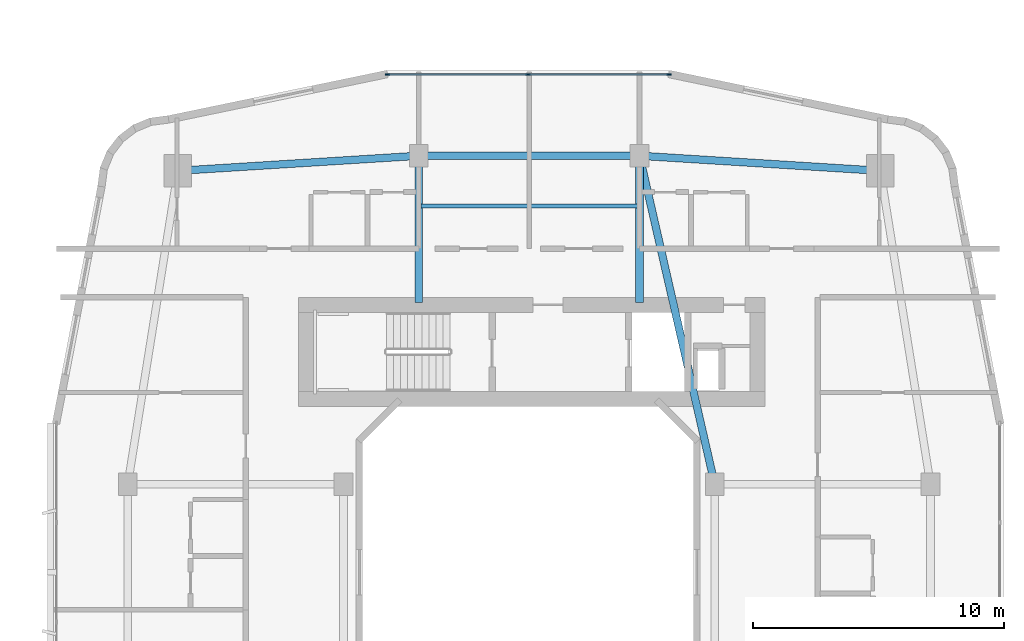
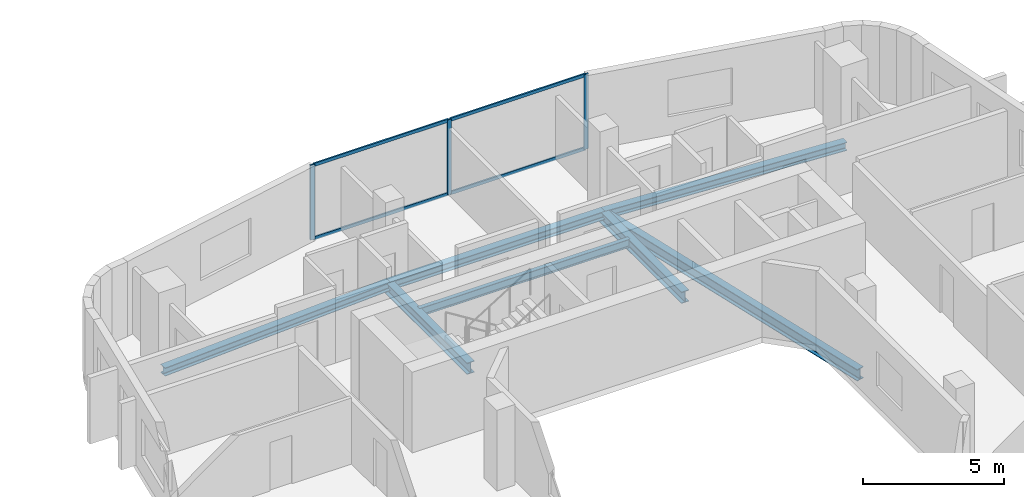
# One storey, part 11 of 27: 7 beams, 7 members, 1 element without a shape of its own.
"""IFC4 building model written with IfcOpenShell, lengths in metres."""

from ifc_helpers import new_model, si_unit, derived_unit, direction, frame, origin, origin_2d, place, context, subcontext, project, spatial, rectangle, i_section, extrude, material, layer, layer_set, material_profile, profile_set, type_object, element, aggregate, save


model = new_model("IFC4")

# Units and contexts
model_context = context("Model", 3, precision=1e-05, world=origin(), true_north=direction((0.0, 1.0)))
body_context = subcontext(model_context, "Body", "Model", "MODEL_VIEW")
ifc_project = project(units=[si_unit("LENGTHUNIT", "METRE"), si_unit("AREAUNIT", "SQUARE_METRE"), si_unit("VOLUMEUNIT", "CUBIC_METRE"), si_unit("PLANEANGLEUNIT", "RADIAN"), si_unit("MASSUNIT", "GRAM", prefix="KILO"), derived_unit("THERMALTRANSMITTANCEUNIT", [(si_unit("POWERUNIT", "WATT"), 1), (si_unit("LENGTHUNIT", "METRE"), -2), (si_unit("THERMODYNAMICTEMPERATUREUNIT", "KELVIN"), -1)])], contexts=[model_context])

# Site, building, storey
site_placement = place(None, origin())
site = spatial("IfcSite", under=ifc_project, at=site_placement, CompositionType="ELEMENT")
building_placement = place(site_placement, origin())
building = spatial("IfcBuilding", under=site, at=building_placement, Name="Kivonza Crest Hotel", CompositionType="ELEMENT")
storey_placement = place(building_placement, frame((0.0, 0.0, 38.0)))
storey = spatial("IfcBuildingStorey", under=building, at=storey_placement, Name="L09", CompositionType="ELEMENT", Elevation=38.0)

# Beams
ifc_material_1 = material(Name="Steel S355", Category="steel")
ifc_material_profile_1 = material_profile(ifc_material_1, i_section(OverallWidth=0.300048828125, OverallDepth=0.360107421875, WebThickness=0.012451171875, FlangeThickness=0.0224609375, FilletRadius=0.027099609375, at=origin_2d()), Name="HEB 360")
ifc_profile_set_1 = profile_set([ifc_material_profile_1], Name="Steel S355")
beam_type_1 = type_object("IfcBeamType", Name="BM-HEB360", PredefinedType="SPANDREL", material=ifc_profile_set_1)
beam_1_placement = place(storey_placement, frame((91.0, 41.0, -0.429931640625), z_axis=(-0.998051985873, 0.062387767186, 0.0), x_axis=(-0.062387767186, -0.998051985873, 0.0)))
element("IfcBeam", 1, at=beam_1_placement, inside=storey, type_object=beam_type_1, Name="Companion Tower T2 L09 perimeter spandrel NE-N2", PredefinedType="SPANDREL", context=body_context, shape_type="SweptSolid", body=[
    extrude(i_section(OverallWidth=0.300048828125, OverallDepth=0.360107421875, WebThickness=0.012451171875, FlangeThickness=0.0224609375, FilletRadius=0.027099609375, at=origin_2d()), origin(), (0.0, 0.0, 1.0), 9.618896484375),
])
beam_2_placement = place(storey_placement, frame((81.39990234375, 41.60009765625, -0.429931640625), z_axis=(-1.0, 0.0, 0.0), x_axis=(0.0, -1.0, 0.0)))
element("IfcBeam", 2, at=beam_2_placement, inside=storey, type_object=beam_type_1, Name="Companion Tower T2 L09 perimeter spandrel N2-N1", PredefinedType="SPANDREL", context=body_context, shape_type="SweptSolid", body=[
    extrude(i_section(OverallWidth=0.300048828125, OverallDepth=0.360107421875, WebThickness=0.012451171875, FlangeThickness=0.0224609375, FilletRadius=0.027099609375, at=origin_2d()), origin(), (0.0, 0.0, 1.0), 8.7998046875),
])
beam_3_placement = place(storey_placement, frame((72.60009765625, 41.60009765625, -0.429931640625), z_axis=(-0.998051985873, -0.062387767186, 0.0), x_axis=(0.062387767186, -0.998051985873, 0.0)))
element("IfcBeam", 3, at=beam_3_placement, inside=storey, type_object=beam_type_1, Name="Companion Tower T2 L09 perimeter spandrel N1-NW", PredefinedType="SPANDREL", context=body_context, shape_type="SweptSolid", body=[
    extrude(i_section(OverallWidth=0.300048828125, OverallDepth=0.360107421875, WebThickness=0.012451171875, FlangeThickness=0.0224609375, FilletRadius=0.027099609375, at=origin_2d()), origin(), (0.0, 0.0, 1.0), 9.618896484375),
])
ifc_material_profile_2 = material_profile(ifc_material_1, i_section(OverallWidth=0.300048828125, OverallDepth=0.5, WebThickness=0.014404296875, FlangeThickness=0.028076171875, FilletRadius=0.027099609375, at=origin_2d()), Name="HEB 500")
ifc_profile_set_2 = profile_set([ifc_material_profile_2], Name="Steel S355")
beam_type_2 = type_object("IfcBeamType", Name="BM-HEB500", PredefinedType="BEAM", material=ifc_profile_set_2)
beam_4_placement = place(storey_placement, frame((84.39990234375, 28.5, -0.5), z_axis=(-0.223227287589, 0.974766422317, 0.0), x_axis=(-0.974766422317, -0.223227287589, 0.0)))
element("IfcBeam", 4, at=beam_4_placement, inside=storey, type_object=beam_type_2, Name="Companion Tower T2 L09 girder WR2-N2", PredefinedType="BEAM", context=body_context, shape_type="SweptSolid", body=[
    extrude(i_section(OverallWidth=0.300048828125, OverallDepth=0.5, WebThickness=0.014404296875, FlangeThickness=0.028076171875, FilletRadius=0.027099609375, at=origin_2d()), origin(), (0.0, 0.0, 1.0), 13.439208984375),
])
for number, where, z_axis, x_axis, name in (
    (5, (72.60009765625, 41.60009765625, -0.5), (0.0, -1.0, 0.0), (1.0, 0.0, 0.0), "Companion T2 L09 radial core girder RN1"),
    (6, (81.39990234375, 41.60009765625, -0.5), (0.0, -1.0, 0.0), (1.0, 0.0, 0.0), "Companion T2 L09 radial core girder RN2"),
):
    element("IfcBeam", number, at=place(storey_placement, frame(where, z_axis=z_axis, x_axis=x_axis)), inside=storey, type_object=beam_type_2, Name=name, PredefinedType="BEAM", context=body_context, shape_type="SweptSolid", body=[
        extrude(i_section(OverallWidth=0.300048828125, OverallDepth=0.5, WebThickness=0.014404296875, FlangeThickness=0.028076171875, FilletRadius=0.027099609375, at=origin_2d()), origin(), (0.0, 0.0, 1.0), 5.85009765625),
    ])
ifc_material_profile_3 = material_profile(ifc_material_1, i_section(OverallWidth=0.169921875, OverallDepth=0.360107421875, WebThickness=0.008056640625, FlangeThickness=0.0126953125, FilletRadius=0.01806640625, at=origin_2d()), Name="IPE 360")
ifc_profile_set_3 = profile_set([ifc_material_profile_3], Name="Steel S355")
beam_type_3 = type_object("IfcBeamType", Name="BM-IPE360", PredefinedType="JOIST", material=ifc_profile_set_3)
beam_5_placement = place(storey_placement, frame((72.679931640625, 39.60009765625, -0.429931640625), z_axis=(1.0, 0.0, 0.0), x_axis=(0.0, 1.0, 0.0)))
element("IfcBeam", 7, at=beam_5_placement, inside=storey, type_object=beam_type_3, Name="Companion Tower T2 L09 North floor joist", PredefinedType="JOIST", context=body_context, shape_type="SweptSolid", body=[
    extrude(i_section(OverallWidth=0.169921875, OverallDepth=0.360107421875, WebThickness=0.008056640625, FlangeThickness=0.0126953125, FilletRadius=0.01806640625, at=origin_2d()), origin(), (0.0, 0.0, 1.0), 8.64013671875),
])

# Curtain wall, members
ifc_material_2 = material(Name="Anodised bronze aluminium and low-E double glazing", Category="aluminium")
ifc_layer = layer(ifc_material_2, 0.179931640625)
ifc_layer_set = layer_set([ifc_layer], Name="Anodised bronze aluminium and low-E double glazing")
curtain_wall_type = type_object("IfcCurtainWallType", Name="CW-SYS-4", PredefinedType="NOTDEFINED", material=ifc_layer_set)
curtain_wall_placement = place(storey_placement, origin())
curtain_wall = element("IfcCurtainWall", 8, at=curtain_wall_placement, inside=storey, type_object=curtain_wall_type, Name="L09 unitised curtain wall CW-T2-L09-26", PredefinedType="NOTDEFINED")
ifc_material_3 = material(Name="Anodised bronze aluminium", Category="aluminium")
ifc_material_profile_4 = material_profile(ifc_material_3, rectangle(XDim=0.06494140625, YDim=0.179931640625, at=origin_2d()), Name="CW-M 65x180")
ifc_profile_set_4 = profile_set([ifc_material_profile_4], Name="Anodised bronze aluminium")
member_type_1 = type_object("IfcMemberType", Name="CW-MUL-65x180", PredefinedType="MULLION", material=ifc_profile_set_4)
member_1_placement = place(storey_placement, frame((82.575439453125, 44.840087890625, 0.0), z_axis=(0.0, 0.0, 1.0), x_axis=(0.0, -1.0, 0.0)))
member_1 = element("IfcMember", 9, at=member_1_placement, type_object=member_type_1, Name="CW-4 mullion 1", PredefinedType="MULLION", context=body_context, shape_type="SweptSolid", body=[
    extrude(rectangle(XDim=0.06494140625, YDim=0.179931640625, at=origin_2d()), origin(), (0.0, 0.0, 1.0), 3.25),
])
member_2_placement = place(storey_placement, frame((76.9599609375, 44.840087890625, 0.0), z_axis=(0.0, 0.0, 1.0), x_axis=(0.0, -1.0, 0.0)))
member_2 = element("IfcMember", 10, at=member_2_placement, type_object=member_type_1, Name="CW-4 mullion 2", PredefinedType="MULLION", context=body_context, shape_type="SweptSolid", body=[
    extrude(rectangle(XDim=0.06494140625, YDim=0.179931640625, at=origin_2d()), origin(), (0.0, 0.0, 1.0), 3.25),
])
member_3_placement = place(storey_placement, frame((71.344482421875, 44.840087890625, 0.0), z_axis=(0.0, 0.0, 1.0), x_axis=(0.0, -1.0, 0.0)))
member_3 = element("IfcMember", 11, at=member_3_placement, type_object=member_type_1, Name="CW-4 mullion 3", PredefinedType="MULLION", context=body_context, shape_type="SweptSolid", body=[
    extrude(rectangle(XDim=0.06494140625, YDim=0.179931640625, at=origin_2d()), origin(), (0.0, 0.0, 1.0), 3.25),
])
ifc_material_profile_5 = material_profile(ifc_material_3, rectangle(XDim=0.06494140625, YDim=0.139892578125, at=origin_2d()), Name="CW-T 65x140")
ifc_profile_set_5 = profile_set([ifc_material_profile_5], Name="Anodised bronze aluminium")
member_type_2 = type_object("IfcMemberType", Name="CW-TRN-65x140", PredefinedType="USERDEFINED", material=ifc_profile_set_5)
member_4_placement = place(storey_placement, frame((82.54296875, 44.840087890625, 0.032470703125), z_axis=(-1.0, 0.0, 0.0), x_axis=(0.0, -1.0, 0.0)))
member_4 = element("IfcMember", 12, at=member_4_placement, type_object=member_type_2, Name="CW-4 transom 1.1", ObjectType="TRANSOM", PredefinedType="USERDEFINED", context=body_context, shape_type="SweptSolid", body=[
    extrude(rectangle(XDim=0.06494140625, YDim=0.139892578125, at=origin_2d()), origin(), (0.0, 0.0, 1.0), 5.550537109375),
])
member_5_placement = place(storey_placement, frame((82.54296875, 44.840087890625, 3.217529296875), z_axis=(-1.0, 0.0, 0.0), x_axis=(0.0, -1.0, 0.0)))
member_5 = element("IfcMember", 13, at=member_5_placement, type_object=member_type_2, Name="CW-4 transom 1.2", ObjectType="TRANSOM", PredefinedType="USERDEFINED", context=body_context, shape_type="SweptSolid", body=[
    extrude(rectangle(XDim=0.06494140625, YDim=0.139892578125, at=origin_2d()), origin(), (0.0, 0.0, 1.0), 5.550537109375),
])
member_6_placement = place(storey_placement, frame((76.927490234375, 44.840087890625, 0.032470703125), z_axis=(-1.0, 0.0, 0.0), x_axis=(0.0, -1.0, 0.0)))
member_6 = element("IfcMember", 14, at=member_6_placement, type_object=member_type_2, Name="CW-4 transom 2.1", ObjectType="TRANSOM", PredefinedType="USERDEFINED", context=body_context, shape_type="SweptSolid", body=[
    extrude(rectangle(XDim=0.06494140625, YDim=0.139892578125, at=origin_2d()), origin(), (0.0, 0.0, 1.0), 5.550537109375),
])
member_7_placement = place(storey_placement, frame((76.927490234375, 44.840087890625, 3.217529296875), z_axis=(-1.0, 0.0, 0.0), x_axis=(0.0, -1.0, 0.0)))
member_7 = element("IfcMember", 15, at=member_7_placement, type_object=member_type_2, Name="CW-4 transom 2.2", ObjectType="TRANSOM", PredefinedType="USERDEFINED", context=body_context, shape_type="SweptSolid", body=[
    extrude(rectangle(XDim=0.06494140625, YDim=0.139892578125, at=origin_2d()), origin(), (0.0, 0.0, 1.0), 5.550537109375),
])
aggregate(curtain_wall, [member_1, member_2, member_3, member_4, member_5, member_6, member_7])

save(model, "model.ifc")
